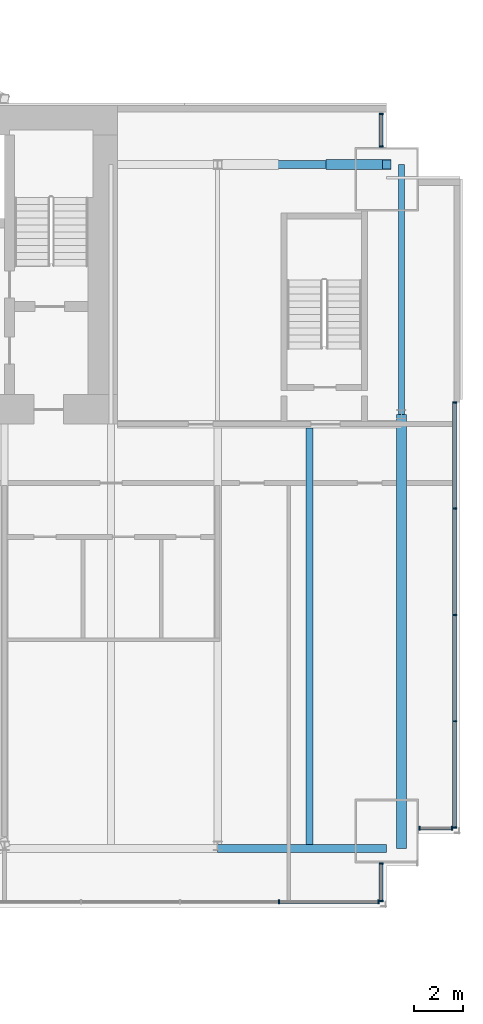
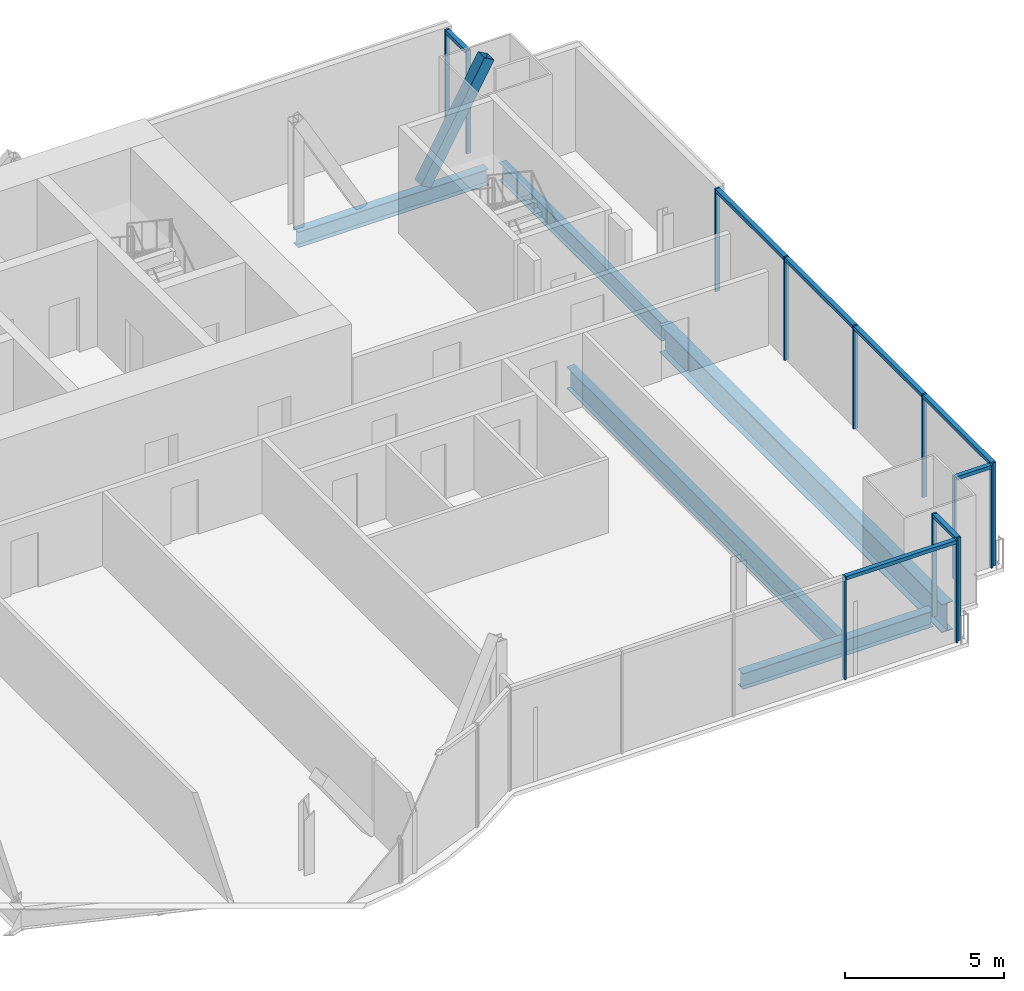
# One storey, part 12 of 20: 22 members, 5 beams, 5 elements without a shape of their own.
"""IFC4 building model written with IfcOpenShell, lengths in metres."""

from ifc_helpers import new_model, si_unit, direction, frame, origin, origin_2d, place, context, subcontext, project, spatial, rectangle, hollow_rectangle, i_section, extrude, material, material_profile, profile_set, type_object, element, aggregate, save


model = new_model("IFC4")

# Units and contexts
model_context = context("Model", 3, precision=1e-05, world=origin(), true_north=direction((0.0, 1.0)))
body_context = subcontext(model_context, "Body", "Model", "MODEL_VIEW")
ifc_project = project(units=[si_unit("LENGTHUNIT", "METRE"), si_unit("AREAUNIT", "SQUARE_METRE"), si_unit("VOLUMEUNIT", "CUBIC_METRE"), si_unit("PLANEANGLEUNIT", "RADIAN"), si_unit("MASSUNIT", "GRAM", prefix="KILO")], contexts=[model_context])

# Site, building, storey
site_placement = place(None, origin())
site = spatial("IfcSite", under=ifc_project, at=site_placement, CompositionType="ELEMENT")
building_placement = place(site_placement, origin())
building = spatial("IfcBuilding", under=site, at=building_placement, Name="Bicima Exchange Tower", CompositionType="ELEMENT")
storey_placement = place(building_placement, frame((0.0, 0.0, 199.10009765625)))
storey = spatial("IfcBuildingStorey", under=building, at=storey_placement, Name="L44", CompositionType="ELEMENT", Elevation=199.10009765625)

# Curtain wall, members
ifc_material_1 = material(Name="Anodised bronze aluminium", Category="aluminium")
curtain_wall_type_1 = type_object("IfcCurtainWallType", Name="End face glass wall", PredefinedType="NOTDEFINED", material=ifc_material_1)
curtain_wall_1_placement = place(storey_placement, origin())
curtain_wall_1 = element("IfcCurtainWall", 1, at=curtain_wall_1_placement, inside=storey, type_object=curtain_wall_type_1, Name="End face glass wall L44 run 19", PredefinedType="NOTDEFINED")
ifc_material_profile_1 = material_profile(ifc_material_1, rectangle(XDim=0.159912109375, YDim=0.06005859375, at=origin_2d()))
ifc_profile_set_1 = profile_set([ifc_material_profile_1], Name="Anodised bronze aluminium")
member_type_1 = type_object("IfcMemberType", Name="End face glass wall mullion 60 x 160", PredefinedType="MULLION", material=ifc_profile_set_1)
member_1_placement = place(storey_placement, frame((35.77001953125, -29.468017578125, 0.0), z_axis=(0.0, 0.0, 1.0), x_axis=(-1.0, 0.0, 0.0)))
member_1 = element("IfcMember", 2, at=member_1_placement, type_object=member_type_1, Name="End face glass wall mullion 1", PredefinedType="MULLION", context=body_context, shape_type="SweptSolid", body=[
    extrude(rectangle(XDim=0.159912109375, YDim=0.06005859375, at=origin_2d()), origin(), (0.0, 0.0, 1.0), 3.949951171875),
])
member_2_placement = place(storey_placement, frame((35.77001953125, -25.12841796875, 0.0), z_axis=(0.0, 0.0, 1.0), x_axis=(-1.0, 0.0, 0.0)))
member_2 = element("IfcMember", 3, at=member_2_placement, type_object=member_type_1, Name="End face glass wall mullion 2", PredefinedType="MULLION", context=body_context, shape_type="SweptSolid", body=[
    extrude(rectangle(XDim=0.159912109375, YDim=0.06005859375, at=origin_2d()), origin(), (0.0, 0.0, 1.0), 3.949951171875),
])
member_3_placement = place(storey_placement, frame((35.77001953125, -20.7890625, 0.0), z_axis=(0.0, 0.0, 1.0), x_axis=(-1.0, 0.0, 0.0)))
member_3 = element("IfcMember", 4, at=member_3_placement, type_object=member_type_1, Name="End face glass wall mullion 3", PredefinedType="MULLION", context=body_context, shape_type="SweptSolid", body=[
    extrude(rectangle(XDim=0.159912109375, YDim=0.06005859375, at=origin_2d()), origin(), (0.0, 0.0, 1.0), 3.949951171875),
])
member_4_placement = place(storey_placement, frame((35.77001953125, -16.449462890625, 0.0), z_axis=(0.0, 0.0, 1.0), x_axis=(-1.0, 0.0, 0.0)))
member_4 = element("IfcMember", 5, at=member_4_placement, type_object=member_type_1, Name="End face glass wall mullion 4", PredefinedType="MULLION", context=body_context, shape_type="SweptSolid", body=[
    extrude(rectangle(XDim=0.159912109375, YDim=0.06005859375, at=origin_2d()), origin(), (0.0, 0.0, 1.0), 3.949951171875),
])
member_5_placement = place(storey_placement, frame((35.77001953125, -12.110107421875, 0.0), z_axis=(0.0, 0.0, 1.0), x_axis=(-1.0, 0.0, 0.0)))
member_5 = element("IfcMember", 6, at=member_5_placement, type_object=member_type_1, Name="End face glass wall mullion 5", PredefinedType="MULLION", context=body_context, shape_type="SweptSolid", body=[
    extrude(rectangle(XDim=0.159912109375, YDim=0.06005859375, at=origin_2d()), origin(), (0.0, 0.0, 1.0), 3.949951171875),
])
ifc_material_profile_2 = material_profile(ifc_material_1, rectangle(XDim=0.159912109375, YDim=0.139892578125, at=origin_2d()))
ifc_profile_set_2 = profile_set([ifc_material_profile_2], Name="Anodised bronze aluminium")
member_type_2 = type_object("IfcMemberType", Name="End face glass wall transom 140 x 160", PredefinedType="USERDEFINED", material=ifc_profile_set_2)
member_6_placement = place(storey_placement, frame((35.77001953125, -29.43798828125, 3.8798828125), z_axis=(0.0, 1.0, 0.0), x_axis=(-1.0, 0.0, 0.0)))
member_6 = element("IfcMember", 7, at=member_6_placement, type_object=member_type_2, Name="End face glass wall transom 1.1", ObjectType="TRANSOM", PredefinedType="USERDEFINED", context=body_context, shape_type="SweptSolid", body=[
    extrude(rectangle(XDim=0.159912109375, YDim=0.139892578125, at=origin_2d()), origin(), (0.0, 0.0, 1.0), 4.279541015625),
])
member_7_placement = place(storey_placement, frame((35.77001953125, -25.098388671875, 3.8798828125), z_axis=(0.0, 1.0, 0.0), x_axis=(-1.0, 0.0, 0.0)))
member_7 = element("IfcMember", 8, at=member_7_placement, type_object=member_type_2, Name="End face glass wall transom 2.1", ObjectType="TRANSOM", PredefinedType="USERDEFINED", context=body_context, shape_type="SweptSolid", body=[
    extrude(rectangle(XDim=0.159912109375, YDim=0.139892578125, at=origin_2d()), origin(), (0.0, 0.0, 1.0), 4.279296875),
])
member_8_placement = place(storey_placement, frame((35.77001953125, -20.759033203125, 3.8798828125), z_axis=(0.0, 1.0, 0.0), x_axis=(-1.0, 0.0, 0.0)))
member_8 = element("IfcMember", 9, at=member_8_placement, type_object=member_type_2, Name="End face glass wall transom 3.1", ObjectType="TRANSOM", PredefinedType="USERDEFINED", context=body_context, shape_type="SweptSolid", body=[
    extrude(rectangle(XDim=0.159912109375, YDim=0.139892578125, at=origin_2d()), origin(), (0.0, 0.0, 1.0), 4.279541015625),
])
member_9_placement = place(storey_placement, frame((35.77001953125, -16.41943359375, 3.8798828125), z_axis=(0.0, 1.0, 0.0), x_axis=(-1.0, 0.0, 0.0)))
member_9 = element("IfcMember", 10, at=member_9_placement, type_object=member_type_2, Name="End face glass wall transom 4.1", ObjectType="TRANSOM", PredefinedType="USERDEFINED", context=body_context, shape_type="SweptSolid", body=[
    extrude(rectangle(XDim=0.159912109375, YDim=0.139892578125, at=origin_2d()), origin(), (0.0, 0.0, 1.0), 4.279541015625),
])
aggregate(curtain_wall_1, [member_1, member_2, member_3, member_4, member_5, member_6, member_7, member_8, member_9])

# Beams
ifc_material_2 = material(Name="Steel ASTM A992 Gr 50", Category="steel")
ifc_material_profile_3 = material_profile(ifc_material_2, i_section(OverallWidth=0.256591796875, OverallDepth=0.693359375, WebThickness=0.014404296875, FlangeThickness=0.023681640625, at=origin_2d()))
ifc_profile_set_3 = profile_set([ifc_material_profile_3], Name="Steel ASTM A992 Gr 50")
beam_type_1 = type_object("IfcBeamType", Name="End girder W27x114", PredefinedType="BEAM", material=ifc_profile_set_3)
beam_1_placement = place(storey_placement, frame((33.60009765625, -2.39990234375, -0.496826171875), z_axis=(0.0, -1.0, 0.0), x_axis=(1.0, 0.0, 0.0)))
element("IfcBeam", 11, at=beam_1_placement, inside=storey, type_object=beam_type_1, Name="End girder", PredefinedType="BEAM", context=body_context, shape_type="SweptSolid", body=[
    extrude(i_section(OverallWidth=0.256591796875, OverallDepth=0.693359375, WebThickness=0.014404296875, FlangeThickness=0.023681640625, at=origin_2d()), origin(), (0.0, 0.0, 1.0), 10.2001953125),
])
ifc_material_profile_4 = material_profile(ifc_material_2, i_section(OverallWidth=0.4013671875, OverallDepth=1.089599609375, WebThickness=0.01806640625, FlangeThickness=0.031005859375, at=origin_2d()))
ifc_profile_set_4 = profile_set([ifc_material_profile_4], Name="Steel ASTM A992 Gr 50")
beam_type_2 = type_object("IfcBeamType", Name="End girder W44x230", PredefinedType="BEAM", material=ifc_profile_set_4)
beam_2_placement = place(storey_placement, frame((33.60009765625, -12.60009765625, -0.69482421875), z_axis=(0.0, -1.0, 0.0), x_axis=(1.0, 0.0, 0.0)))
element("IfcBeam", 12, at=beam_2_placement, inside=storey, type_object=beam_type_2, Name="End girder", PredefinedType="BEAM", context=body_context, shape_type="SweptSolid", body=[
    extrude(i_section(OverallWidth=0.4013671875, OverallDepth=1.089599609375, WebThickness=0.01806640625, FlangeThickness=0.031005859375, at=origin_2d()), origin(), (0.0, 0.0, 1.0), 17.727783203125),
])
ifc_material_profile_5 = material_profile(ifc_material_2, i_section(OverallWidth=0.2919921875, OverallDepth=0.835693359375, WebThickness=0.013916015625, FlangeThickness=0.018798828125, at=origin_2d()))
ifc_profile_set_5 = profile_set([ifc_material_profile_5], Name="Steel ASTM A992 Gr 50")
beam_type_3 = type_object("IfcBeamType", Name="Floor beam W33x118", PredefinedType="JOIST", material=ifc_profile_set_5)
beam_3_placement = place(storey_placement, frame((29.85009765625, -13.15234375, -0.56787109375), z_axis=(0.0, -1.0, 0.0), x_axis=(1.0, 0.0, 0.0)))
element("IfcBeam", 13, at=beam_3_placement, inside=storey, type_object=beam_type_3, Name="Floor beam", PredefinedType="JOIST", context=body_context, shape_type="SweptSolid", body=[
    extrude(i_section(OverallWidth=0.2919921875, OverallDepth=0.835693359375, WebThickness=0.013916015625, FlangeThickness=0.018798828125, at=origin_2d()), origin(), (0.0, 0.0, 1.0), 17.012939453125),
])
ifc_material_profile_6 = material_profile(ifc_material_2, i_section(OverallWidth=0.3251953125, OverallDepth=0.612060546875, WebThickness=0.0126953125, FlangeThickness=0.01904296875, at=origin_2d()))
ifc_profile_set_6 = profile_set([ifc_material_profile_6], Name="Steel ASTM A992 Gr 50")
beam_type_4 = type_object("IfcBeamType", Name="Front girder W24x104", PredefinedType="BEAM", material=ifc_profile_set_6)
beam_4_placement = place(storey_placement, frame((26.10009765625, -30.327880859375, -0.456298828125), z_axis=(1.0, 0.0, 0.0), x_axis=(0.0, 1.0, 0.0)))
element("IfcBeam", 14, at=beam_4_placement, inside=storey, type_object=beam_type_4, Name="Front girder", PredefinedType="BEAM", context=body_context, shape_type="SweptSolid", body=[
    extrude(i_section(OverallWidth=0.3251953125, OverallDepth=0.612060546875, WebThickness=0.0126953125, FlangeThickness=0.01904296875, at=origin_2d()), origin(), (0.0, 0.0, 1.0), 6.89990234375),
])

# Curtain wall, members
curtain_wall_type_2 = type_object("IfcCurtainWallType", Name="Front glass wall", PredefinedType="NOTDEFINED", material=ifc_material_1)
curtain_wall_2_placement = place(storey_placement, origin())
curtain_wall_2 = element("IfcCurtainWall", 15, at=curtain_wall_2_placement, inside=storey, type_object=curtain_wall_type_2, Name="Front glass wall L44 run 16", PredefinedType="NOTDEFINED")
member_type_3 = type_object("IfcMemberType", Name="Front glass wall mullion 60 x 160", PredefinedType="MULLION", material=ifc_profile_set_1)
member_10_placement = place(storey_placement, frame((28.610595703125, -32.498046875, 0.0), z_axis=(0.0, 0.0, 1.0), x_axis=(0.0, 1.0, 0.0)))
member_10 = element("IfcMember", 16, at=member_10_placement, type_object=member_type_3, Name="Front glass wall mullion 4", PredefinedType="MULLION", context=body_context, shape_type="SweptSolid", body=[
    extrude(rectangle(XDim=0.159912109375, YDim=0.06005859375, at=origin_2d()), origin(), (0.0, 0.0, 1.0), 3.949951171875),
])
member_11_placement = place(storey_placement, frame((32.659912109375, -32.498046875, 0.0), z_axis=(0.0, 0.0, 1.0), x_axis=(0.0, 1.0, 0.0)))
member_11 = element("IfcMember", 17, at=member_11_placement, type_object=member_type_3, Name="Front glass wall mullion 5", PredefinedType="MULLION", context=body_context, shape_type="SweptSolid", body=[
    extrude(rectangle(XDim=0.159912109375, YDim=0.06005859375, at=origin_2d()), origin(), (0.0, 0.0, 1.0), 3.949951171875),
])

curtain_wall_3_placement = place(storey_placement, origin())
curtain_wall_3 = element("IfcCurtainWall", 18, at=curtain_wall_3_placement, inside=storey, type_object=curtain_wall_type_2, Name="Front glass wall L44 run 17", PredefinedType="NOTDEFINED")
member_12_placement = place(storey_placement, frame((32.77001953125, -32.468017578125, 0.0), z_axis=(0.0, 0.0, 1.0), x_axis=(-1.0, 0.0, 0.0)))
member_12 = element("IfcMember", 19, at=member_12_placement, type_object=member_type_3, Name="Front glass wall mullion 1", PredefinedType="MULLION", context=body_context, shape_type="SweptSolid", body=[
    extrude(rectangle(XDim=0.159912109375, YDim=0.06005859375, at=origin_2d()), origin(), (0.0, 0.0, 1.0), 3.949951171875),
])
member_13_placement = place(storey_placement, frame((32.77001953125, -30.93603515625, 0.0), z_axis=(0.0, 0.0, 1.0), x_axis=(-1.0, 0.0, 0.0)))
member_13 = element("IfcMember", 20, at=member_13_placement, type_object=member_type_3, Name="Front glass wall mullion 2", PredefinedType="MULLION", context=body_context, shape_type="SweptSolid", body=[
    extrude(rectangle(XDim=0.159912109375, YDim=0.06005859375, at=origin_2d()), origin(), (0.0, 0.0, 1.0), 3.949951171875),
])

curtain_wall_4_placement = place(storey_placement, origin())
curtain_wall_4 = element("IfcCurtainWall", 21, at=curtain_wall_4_placement, inside=storey, type_object=curtain_wall_type_2, Name="Front glass wall L44 run 18", PredefinedType="NOTDEFINED")
member_14_placement = place(storey_placement, frame((34.330078125, -29.498046875, 0.0), z_axis=(0.0, 0.0, 1.0), x_axis=(0.0, 1.0, 0.0)))
member_14 = element("IfcMember", 22, at=member_14_placement, type_object=member_type_3, Name="Front glass wall mullion 1", PredefinedType="MULLION", context=body_context, shape_type="SweptSolid", body=[
    extrude(rectangle(XDim=0.159912109375, YDim=0.06005859375, at=origin_2d()), origin(), (0.0, 0.0, 1.0), 3.949951171875),
])
member_15_placement = place(storey_placement, frame((35.659912109375, -29.498046875, 0.0), z_axis=(0.0, 0.0, 1.0), x_axis=(0.0, 1.0, 0.0)))
member_15 = element("IfcMember", 23, at=member_15_placement, type_object=member_type_3, Name="Front glass wall mullion 2", PredefinedType="MULLION", context=body_context, shape_type="SweptSolid", body=[
    extrude(rectangle(XDim=0.159912109375, YDim=0.06005859375, at=origin_2d()), origin(), (0.0, 0.0, 1.0), 3.949951171875),
])

curtain_wall_5_placement = place(storey_placement, origin())
curtain_wall_5 = element("IfcCurtainWall", 24, at=curtain_wall_5_placement, inside=storey, type_object=curtain_wall_type_2, Name="Front glass wall L44 run 20", PredefinedType="NOTDEFINED")
member_16_placement = place(storey_placement, frame((32.77001953125, -1.669921875, 0.0), z_axis=(0.0, 0.0, 1.0), x_axis=(-1.0, 0.0, 0.0)))
member_16 = element("IfcMember", 25, at=member_16_placement, type_object=member_type_3, Name="Front glass wall mullion 1", PredefinedType="MULLION", context=body_context, shape_type="SweptSolid", body=[
    extrude(rectangle(XDim=0.159912109375, YDim=0.06005859375, at=origin_2d()), origin(), (0.0, 0.0, 1.0), 3.949951171875),
])
member_17_placement = place(storey_placement, frame((32.77001953125, -0.340087890625, 0.0), z_axis=(0.0, 0.0, 1.0), x_axis=(-1.0, 0.0, 0.0)))
member_17 = element("IfcMember", 26, at=member_17_placement, type_object=member_type_3, Name="Front glass wall mullion 2", PredefinedType="MULLION", context=body_context, shape_type="SweptSolid", body=[
    extrude(rectangle(XDim=0.159912109375, YDim=0.06005859375, at=origin_2d()), origin(), (0.0, 0.0, 1.0), 3.949951171875),
])

# Member
member_type_4 = type_object("IfcMemberType", Name="Front glass wall transom 140 x 160", PredefinedType="USERDEFINED", material=ifc_profile_set_2)
member_18_placement = place(storey_placement, frame((28.640380859375, -32.498046875, 3.8798828125), z_axis=(1.0, 0.0, 0.0), x_axis=(0.0, 1.0, 0.0)))
member_18 = element("IfcMember", 27, at=member_18_placement, type_object=member_type_4, Name="Front glass wall transom 4.1", ObjectType="TRANSOM", PredefinedType="USERDEFINED", context=body_context, shape_type="SweptSolid", body=[
    extrude(rectangle(XDim=0.159912109375, YDim=0.139892578125, at=origin_2d()), origin(), (0.0, 0.0, 1.0), 3.989501953125),
])

aggregate(curtain_wall_2, [member_10, member_11, member_18])

member_19_placement = place(storey_placement, frame((32.77001953125, -32.43798828125, 3.8798828125), z_axis=(0.0, 1.0, 0.0), x_axis=(-1.0, 0.0, 0.0)))
member_19 = element("IfcMember", 28, at=member_19_placement, type_object=member_type_4, Name="Front glass wall transom 1.1", ObjectType="TRANSOM", PredefinedType="USERDEFINED", context=body_context, shape_type="SweptSolid", body=[
    extrude(rectangle(XDim=0.159912109375, YDim=0.139892578125, at=origin_2d()), origin(), (0.0, 0.0, 1.0), 1.471923828125),
])

aggregate(curtain_wall_3, [member_12, member_13, member_19])

member_20_placement = place(storey_placement, frame((34.360107421875, -29.498046875, 3.8798828125), z_axis=(1.0, 0.0, 0.0), x_axis=(0.0, 1.0, 0.0)))
member_20 = element("IfcMember", 29, at=member_20_placement, type_object=member_type_4, Name="Front glass wall transom 1.1", ObjectType="TRANSOM", PredefinedType="USERDEFINED", context=body_context, shape_type="SweptSolid", body=[
    extrude(rectangle(XDim=0.159912109375, YDim=0.139892578125, at=origin_2d()), origin(), (0.0, 0.0, 1.0), 1.269775390625),
])

aggregate(curtain_wall_4, [member_14, member_15, member_20])

member_21_placement = place(storey_placement, frame((32.77001953125, -1.639892578125, 3.8798828125), z_axis=(0.0, 1.0, 0.0), x_axis=(-1.0, 0.0, 0.0)))
member_21 = element("IfcMember", 30, at=member_21_placement, type_object=member_type_4, Name="Front glass wall transom 1.1", ObjectType="TRANSOM", PredefinedType="USERDEFINED", context=body_context, shape_type="SweptSolid", body=[
    extrude(rectangle(XDim=0.159912109375, YDim=0.139892578125, at=origin_2d()), origin(), (0.0, 0.0, 1.0), 1.269775390625),
])

aggregate(curtain_wall_5, [member_16, member_17, member_21])

ifc_material_3 = material(Name="Steel ASTM A572 Gr 50", Category="steel")
ifc_material_profile_7 = material_profile(ifc_material_3, hollow_rectangle(XDim=0.406494140625, YDim=0.406494140625, WallThickness=0.0146484375, at=origin_2d()))
ifc_profile_set_7 = profile_set([ifc_material_profile_7], Name="Steel ASTM A572 Gr 50")
member_type_5 = type_object("IfcMemberType", Name="Mega brace HSS16x16x5/8", PredefinedType="BRACE", material=ifc_profile_set_7)
member_22_placement = place(storey_placement, frame((30.699951171875, -2.39990234375, 0.0), z_axis=(0.489272170815, 0.0, 0.872131150037), x_axis=(0.0, 1.0, 0.0)))
element("IfcMember", 31, at=member_22_placement, inside=storey, type_object=member_type_5, Name="Mega brace rear", PredefinedType="BRACE", context=body_context, shape_type="SweptSolid", body=[
    extrude(hollow_rectangle(XDim=0.406494140625, YDim=0.406494140625, WallThickness=0.0146484375, at=origin_2d()), origin(), (0.0, 0.0, 1.0), 4.700927734375),
])

# Beam
beam_type_5 = type_object("IfcBeamType", Name="Rear girder W24x104", PredefinedType="BEAM", material=ifc_profile_set_6)
beam_5_placement = place(storey_placement, frame((26.10009765625, -2.39990234375, -0.456298828125), z_axis=(1.0, 0.0, 0.0), x_axis=(0.0, 1.0, 0.0)))
element("IfcBeam", 32, at=beam_5_placement, inside=storey, type_object=beam_type_5, Name="Rear girder", PredefinedType="BEAM", context=body_context, shape_type="SweptSolid", body=[
    extrude(i_section(OverallWidth=0.3251953125, OverallDepth=0.612060546875, WebThickness=0.0126953125, FlangeThickness=0.01904296875, at=origin_2d()), origin(), (0.0, 0.0, 1.0), 6.89990234375),
])

save(model, "model.ifc")
